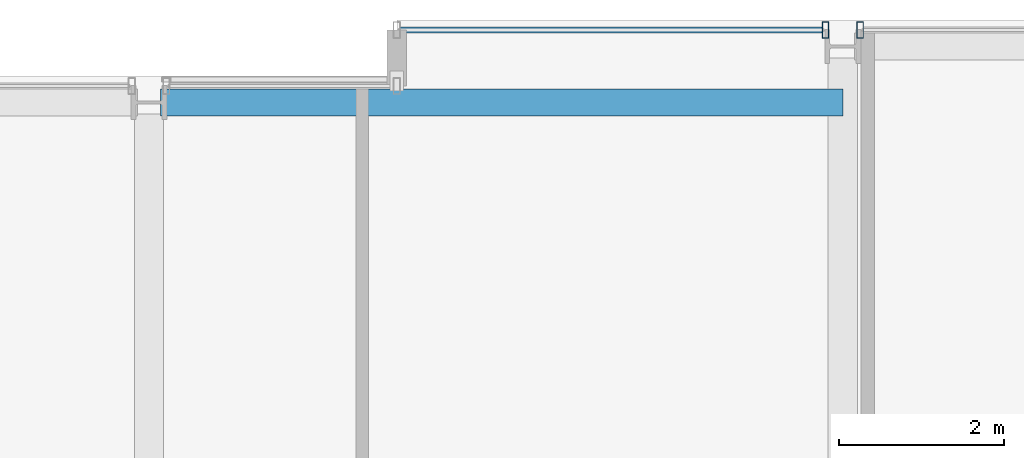
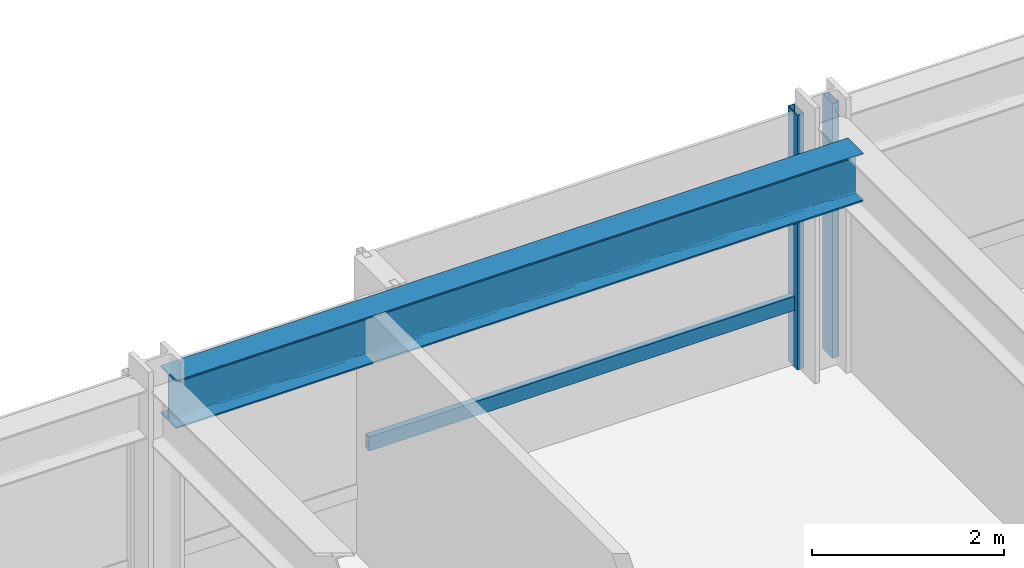
# One storey, part 25 of 35: 3 members, 1 beam, 2 elements without a shape of their own.
"""IFC4 building model written with IfcOpenShell, lengths in metres."""

from ifc_helpers import new_model, si_unit, direction, frame, origin, origin_2d, place, context, subcontext, project, spatial, hollow_rectangle, i_section, extrude, material, layer, layer_set, material_profile, profile_set, type_object, element, aggregate, save


model = new_model("IFC4")

# Units and contexts
model_context = context("Model", 3, precision=1e-05, world=origin(), true_north=direction((0.0, 1.0)))
body_context = subcontext(model_context, "Body", "Model", "MODEL_VIEW")
ifc_project = project(units=[si_unit("LENGTHUNIT", "METRE"), si_unit("AREAUNIT", "SQUARE_METRE"), si_unit("VOLUMEUNIT", "CUBIC_METRE"), si_unit("PLANEANGLEUNIT", "RADIAN"), si_unit("MASSUNIT", "GRAM", prefix="KILO")], contexts=[model_context])

# Site, building, storey
site_placement = place(None, origin())
site = spatial("IfcSite", under=ifc_project, at=site_placement, CompositionType="ELEMENT")
building_placement = place(site_placement, origin())
building = spatial("IfcBuilding", under=site, at=building_placement, Name="Drelvath Grand Hotel", CompositionType="ELEMENT")
storey_placement = place(building_placement, frame((0.0, 0.0, 123.300048828125)))
storey = spatial("IfcBuildingStorey", under=building, at=storey_placement, Name="L31", CompositionType="ELEMENT", Elevation=123.300048828125)

# Curtain wall, members
ifc_material_1 = material(Name="Champagne Bronze Anodised Aluminium Frame", Category="aluminium")
ifc_layer = layer(ifc_material_1, 0.199951171875)
ifc_layer_set = layer_set([ifc_layer], Name="Champagne Bronze Anodised Aluminium Frame")
curtain_wall_type = type_object("IfcCurtainWallType", Name="Stick Curtain Wall CW-03 Champagne Bronze Mid-Rise", PredefinedType="NOTDEFINED", material=ifc_layer_set)
curtain_wall_1_placement = place(storey_placement, origin())
curtain_wall_1 = element("IfcCurtainWall", 1, at=curtain_wall_1_placement, inside=storey, type_object=curtain_wall_type, Name="L31 CW-03 Curtain Wall CW03-L31-NE1", PredefinedType="NOTDEFINED")
ifc_material_profile_1 = material_profile(ifc_material_1, hollow_rectangle(XDim=0.074951171875, YDim=0.179931640625, WallThickness=0.0048828125, at=origin_2d()), Name="HSS180X75X5")
ifc_profile_set_1 = profile_set([ifc_material_profile_1], Name="Champagne Bronze Anodised Aluminium Frame")
member_type_1 = type_object("IfcMemberType", Name="Curtain Wall Horizontal Transom CW-03 HSS180X75X5", PredefinedType="USERDEFINED", material=ifc_profile_set_1)
member_1_placement = place(storey_placement, frame((3.0400390625, 53.8798828125, 0.81005859375), z_axis=(1.0, 0.0, 0.0), x_axis=(0.0, 1.0, 0.0)))
member_1 = element("IfcMember", 2, at=member_1_placement, type_object=member_type_1, Name="CW03-L31-NE1 Sill Transom", ObjectType="TRANSOM", PredefinedType="USERDEFINED", context=body_context, shape_type="SweptSolid", body=[
    extrude(hollow_rectangle(XDim=0.074951171875, YDim=0.179931640625, WallThickness=0.0048828125, at=origin_2d()), origin(), (0.0, 0.0, 1.0), 5.110595703125),
])
ifc_material_profile_2 = material_profile(ifc_material_1, hollow_rectangle(XDim=0.080078125, YDim=0.199951171875, WallThickness=0.0048828125, at=origin_2d()), Name="HSS200X80X5")
ifc_profile_set_2 = profile_set([ifc_material_profile_2], Name="Champagne Bronze Anodised Aluminium Frame")
member_type_2 = type_object("IfcMemberType", Name="Curtain Wall Vertical Mullion CW-03 HSS200X80X5", PredefinedType="MULLION", material=ifc_profile_set_2)
member_2_placement = place(storey_placement, frame((8.190673828125, 53.8798828125, 0.0), z_axis=(0.0, 0.0, 1.0), x_axis=(1.0, 0.0, 0.0)))
member_2 = element("IfcMember", 3, at=member_2_placement, type_object=member_type_2, Name="CW03-L31-NE1 Mullion 2", PredefinedType="MULLION", context=body_context, shape_type="SweptSolid", body=[
    extrude(hollow_rectangle(XDim=0.080078125, YDim=0.199951171875, WallThickness=0.0048828125, at=origin_2d()), origin(), (0.0, 0.0, 1.0), 3.239990234375),
])
aggregate(curtain_wall_1, [member_2, member_1])

# Curtain wall, member
curtain_wall_2_placement = place(storey_placement, origin())
curtain_wall_2 = element("IfcCurtainWall", 4, at=curtain_wall_2_placement, inside=storey, type_object=curtain_wall_type, Name="L31 CW-03 Curtain Wall CW03-L31-NE2", PredefinedType="NOTDEFINED")
member_3_placement = place(storey_placement, frame((8.609375, 53.8798828125, 0.0), z_axis=(0.0, 0.0, 1.0), x_axis=(1.0, 0.0, 0.0)))
member_3 = element("IfcMember", 5, at=member_3_placement, type_object=member_type_2, Name="CW03-L31-NE2 Mullion 1", PredefinedType="MULLION", context=body_context, shape_type="SweptSolid", body=[
    extrude(hollow_rectangle(XDim=0.080078125, YDim=0.199951171875, WallThickness=0.0048828125, at=origin_2d()), origin(), (0.0, 0.0, 1.0), 3.239990234375),
])
aggregate(curtain_wall_2, [member_3])

# Beam
ifc_material_2 = material(Name="Steel ASTM A992 Gr 50", Category="steel")
ifc_material_profile_3 = material_profile(ifc_material_2, i_section(OverallWidth=0.323974609375, OverallDepth=0.611083984375, WebThickness=0.0126953125, FlangeThickness=0.01904296875, FilletRadius=0.02197265625, at=origin_2d()), Name="W24X104")
ifc_profile_set_3 = profile_set([ifc_material_profile_3], Name="Steel ASTM A992 Gr 50")
beam_type = type_object("IfcBeamType", Name="Perimeter Spandrel Beam W24X104", PredefinedType="SPANDREL", material=ifc_profile_set_3)
beam_placement = place(storey_placement, frame((0.139892578125, 53.0, 2.9345703125), z_axis=(1.0, 0.0, 0.0), x_axis=(0.0, 1.0, 0.0)))
element("IfcBeam", 6, at=beam_placement, inside=storey, type_object=beam_type, Name="L31 Spandrel North Mid E", PredefinedType="SPANDREL", context=body_context, shape_type="SweptSolid", body=[
    extrude(i_section(OverallWidth=0.323974609375, OverallDepth=0.611083984375, WebThickness=0.0126953125, FlangeThickness=0.01904296875, FilletRadius=0.02197265625, at=origin_2d()), origin(), (0.0, 0.0, 1.0), 8.260009765625),
])

save(model, "model.ifc")
